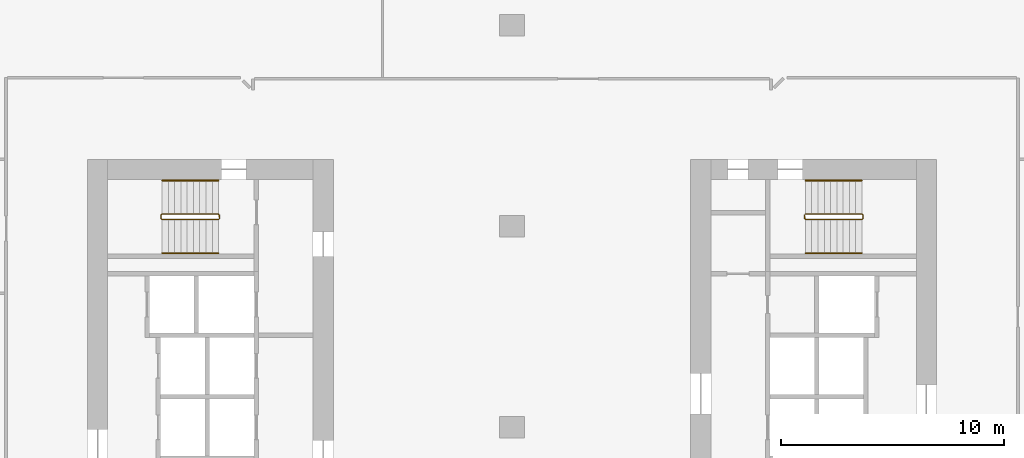
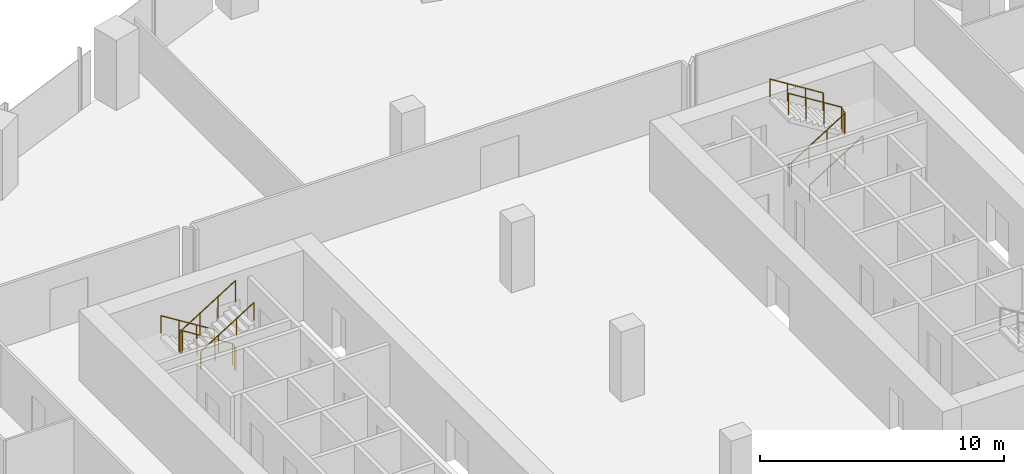
# One storey, part 35 of 35: 6 railings.
"""IFC4 building model written with IfcOpenShell, lengths in metres."""

from ifc_helpers import new_model, si_unit, direction, frame, origin, origin_2d, place, context, subcontext, project, spatial, circle, extrude, material, type_object, element, save


model = new_model("IFC4")

# Units and contexts
model_context = context("Model", 3, precision=1e-05, world=origin(), true_north=direction((0.0, 1.0)))
body_context = subcontext(model_context, "Body", "Model", "MODEL_VIEW")
ifc_project = project(units=[si_unit("LENGTHUNIT", "METRE"), si_unit("AREAUNIT", "SQUARE_METRE"), si_unit("VOLUMEUNIT", "CUBIC_METRE"), si_unit("PLANEANGLEUNIT", "RADIAN"), si_unit("MASSUNIT", "GRAM", prefix="KILO")], contexts=[model_context])

# Site, building, storey
site_placement = place(None, origin())
site = spatial("IfcSite", under=ifc_project, at=site_placement, CompositionType="ELEMENT")
building_placement = place(site_placement, origin())
building = spatial("IfcBuilding", under=site, at=building_placement, Name="Orlundy Tower", CompositionType="ELEMENT")
storey_placement = place(building_placement, frame((0.0, 0.0, 116.199951171875)))
storey = spatial("IfcBuildingStorey", under=building, at=storey_placement, Name="L29", CompositionType="ELEMENT", Elevation=116.199951171875)

# Railings
ifc_material_1 = material(Name="Steel balustrade", Category="steel")
railing_type_1 = type_object("IfcRailingType", Name="Stair Guard 1100", PredefinedType="GUARDRAIL", material=ifc_material_1)
railing_1_placement = place(storey_placement, frame((-13.090087890625, 9.5, 0.0)))
element("IfcRailing", 1, at=railing_1_placement, inside=storey, type_object=railing_type_1, Name="L29 ST-W1 stair guard 1", PredefinedType="GUARDRAIL", context=body_context, shape_type="SweptSolid", body=[
    extrude(circle(Radius=0.02392578125, at=origin_2d()), frame((0.0, 0.0, 1.076171875), z_axis=(0.0, -1.0, 0.0), x_axis=(1.0, 0.0, 0.0)), (0.0, 0.0, 1.0), 0.14990234375),
    extrude(circle(Radius=0.02392578125, at=origin_2d()), frame((0.0, -0.14990234375, 1.076171875), z_axis=(-0.18420542264, 0.739530593833, 0.647427882513), x_axis=(-0.970351222016, -0.241699205484, 0.0)), (0.0, 0.0, 1.0), 0.270263671875),
    extrude(circle(Radius=0.02392578125, at=origin_2d()), frame((-0.0498046875, 0.050048828125, 1.2509765625), z_axis=(-0.848007534815, 0.0, 0.529984170421), x_axis=(0.0, -1.0, 0.0)), (0.0, 0.0, 1.0), 2.9716796875),
    extrude(circle(Radius=0.02392578125, at=origin_2d()), frame((-2.56982421875, 0.050048828125, 2.826171875), z_axis=(-0.707106781187, -0.707106781187, 0.0), x_axis=(0.707106781187, -0.707106781187, 0.0)), (0.0, 0.0, 1.0), 0.07080078125),
    extrude(circle(Radius=0.02392578125, at=origin_2d()), frame((-2.619873046875, 0.0, 2.826171875), z_axis=(0.0, -1.0, 0.0), x_axis=(1.0, 0.0, 0.0)), (0.0, 0.0, 1.0), 0.14990234375),
    extrude(circle(Radius=0.02392578125, at=origin_2d()), frame((-2.619873046875, -0.14990234375, 2.826171875), z_axis=(0.265065253269, -0.265065253269, 0.927081885822), x_axis=(0.707106781187, 0.707106781187, 0.0)), (0.0, 0.0, 1.0), 0.188720703125),
    extrude(circle(Radius=0.02392578125, at=origin_2d()), frame((-2.56982421875, -0.199951171875, 3.0009765625), z_axis=(0.848007534815, 0.0, 0.529984170421), x_axis=(0.0, 1.0, 0.0)), (0.0, 0.0, 1.0), 2.9716796875),
    extrude(circle(Radius=0.02099609375, at=origin_2d()), origin(), (0.0, 0.0, 1.0), 1.052001953125),
    extrude(circle(Radius=0.02099609375, at=origin_2d()), frame((0.0, -0.14990234375, 0.0)), (0.0, 0.0, 1.0), 1.052001953125),
    extrude(circle(Radius=0.02099609375, at=origin_2d()), frame((-0.0498046875, 0.050048828125, 0.175048828125)), (0.0, 0.0, 1.0), 1.052001953125),
    extrude(circle(Radius=0.02099609375, at=origin_2d()), frame((-0.889892578125, 0.050048828125, 0.699951171875)), (0.0, 0.0, 1.0), 1.052001953125),
    extrude(circle(Radius=0.02099609375, at=origin_2d()), frame((-1.729736328125, 0.050048828125, 1.22509765625)), (0.0, 0.0, 1.0), 1.052001953125),
    extrude(circle(Radius=0.02099609375, at=origin_2d()), frame((-2.56982421875, 0.050048828125, 1.75)), (0.0, 0.0, 1.0), 1.052001953125),
    extrude(circle(Radius=0.02099609375, at=origin_2d()), frame((-2.619873046875, 0.0, 1.75)), (0.0, 0.0, 1.0), 1.052001953125),
    extrude(circle(Radius=0.02099609375, at=origin_2d()), frame((-2.619873046875, -0.14990234375, 1.75)), (0.0, 0.0, 1.0), 1.052001953125),
    extrude(circle(Radius=0.02099609375, at=origin_2d()), frame((-2.56982421875, -0.199951171875, 1.925048828125)), (0.0, 0.0, 1.0), 1.052001953125),
    extrude(circle(Radius=0.02099609375, at=origin_2d()), frame((-1.729736328125, -0.199951171875, 2.449951171875)), (0.0, 0.0, 1.0), 1.052001953125),
    extrude(circle(Radius=0.02099609375, at=origin_2d()), frame((-0.889892578125, -0.199951171875, 2.97509765625)), (0.0, 0.0, 1.0), 1.052001953125),
    extrude(circle(Radius=0.02099609375, at=origin_2d()), frame((-0.0498046875, -0.199951171875, 3.5)), (0.0, 0.0, 1.0), 1.052001953125),
])
railing_2_placement = place(storey_placement, frame((13.090087890625, 9.35009765625, 0.0)))
element("IfcRailing", 2, at=railing_2_placement, inside=storey, type_object=railing_type_1, Name="L29 ST-E2 stair guard 1", PredefinedType="GUARDRAIL", context=body_context, shape_type="SweptSolid", body=[
    extrude(circle(Radius=0.02392578125, at=origin_2d()), frame((0.0, 0.0, 1.076171875), z_axis=(0.0, 1.0, 0.0), x_axis=(-1.0, 0.0, 0.0)), (0.0, 0.0, 1.0), 0.14990234375),
    extrude(circle(Radius=0.02392578125, at=origin_2d()), frame((0.0, 0.14990234375, 1.076171875), z_axis=(0.18420542264, -0.739530593833, 0.647427882513), x_axis=(0.970351222016, 0.241699205484, 0.0)), (0.0, 0.0, 1.0), 0.270263671875),
    extrude(circle(Radius=0.02392578125, at=origin_2d()), frame((0.0498046875, -0.050048828125, 1.2509765625), z_axis=(0.848007534815, 0.0, 0.529984170421), x_axis=(0.0, 1.0, 0.0)), (0.0, 0.0, 1.0), 2.9716796875),
    extrude(circle(Radius=0.02392578125, at=origin_2d()), frame((2.56982421875, -0.050048828125, 2.826171875), z_axis=(0.707106781187, 0.707106781187, 0.0), x_axis=(-0.707106781187, 0.707106781187, 0.0)), (0.0, 0.0, 1.0), 0.07080078125),
    extrude(circle(Radius=0.02392578125, at=origin_2d()), frame((2.619873046875, 0.0, 2.826171875), z_axis=(0.0, 1.0, 0.0), x_axis=(-1.0, 0.0, 0.0)), (0.0, 0.0, 1.0), 0.14990234375),
    extrude(circle(Radius=0.02392578125, at=origin_2d()), frame((2.619873046875, 0.14990234375, 2.826171875), z_axis=(-0.265065253269, 0.265065253269, 0.927081885822), x_axis=(-0.707106781187, -0.707106781187, 0.0)), (0.0, 0.0, 1.0), 0.188720703125),
    extrude(circle(Radius=0.02392578125, at=origin_2d()), frame((2.56982421875, 0.199951171875, 3.0009765625), z_axis=(-0.848007534815, 0.0, 0.529984170421), x_axis=(0.0, -1.0, 0.0)), (0.0, 0.0, 1.0), 2.9716796875),
    extrude(circle(Radius=0.02099609375, at=origin_2d()), origin(), (0.0, 0.0, 1.0), 1.052001953125),
    extrude(circle(Radius=0.02099609375, at=origin_2d()), frame((0.0, 0.14990234375, 0.0)), (0.0, 0.0, 1.0), 1.052001953125),
    extrude(circle(Radius=0.02099609375, at=origin_2d()), frame((0.0498046875, -0.050048828125, 0.175048828125)), (0.0, 0.0, 1.0), 1.052001953125),
    extrude(circle(Radius=0.02099609375, at=origin_2d()), frame((0.889892578125, -0.050048828125, 0.699951171875)), (0.0, 0.0, 1.0), 1.052001953125),
    extrude(circle(Radius=0.02099609375, at=origin_2d()), frame((1.729736328125, -0.050048828125, 1.22509765625)), (0.0, 0.0, 1.0), 1.052001953125),
    extrude(circle(Radius=0.02099609375, at=origin_2d()), frame((2.56982421875, -0.050048828125, 1.75)), (0.0, 0.0, 1.0), 1.052001953125),
    extrude(circle(Radius=0.02099609375, at=origin_2d()), frame((2.619873046875, 0.0, 1.75)), (0.0, 0.0, 1.0), 1.052001953125),
    extrude(circle(Radius=0.02099609375, at=origin_2d()), frame((2.619873046875, 0.14990234375, 1.75)), (0.0, 0.0, 1.0), 1.052001953125),
    extrude(circle(Radius=0.02099609375, at=origin_2d()), frame((2.56982421875, 0.199951171875, 1.925048828125)), (0.0, 0.0, 1.0), 1.052001953125),
    extrude(circle(Radius=0.02099609375, at=origin_2d()), frame((1.729736328125, 0.199951171875, 2.449951171875)), (0.0, 0.0, 1.0), 1.052001953125),
    extrude(circle(Radius=0.02099609375, at=origin_2d()), frame((0.889892578125, 0.199951171875, 2.97509765625)), (0.0, 0.0, 1.0), 1.052001953125),
    extrude(circle(Radius=0.02099609375, at=origin_2d()), frame((0.0498046875, 0.199951171875, 3.5)), (0.0, 0.0, 1.0), 1.052001953125),
])
ifc_material_2 = material(Name="Steel handrail", Category="steel")
railing_type_2 = type_object("IfcRailingType", Name="Stair Handrail 900", PredefinedType="HANDRAIL", material=ifc_material_2)
railing_3_placement = place(storey_placement, frame((-13.139892578125, 11.050048828125, 0.175048828125)))
element("IfcRailing", 3, at=railing_3_placement, inside=storey, type_object=railing_type_2, Name="L29 ST-W1 stair handrail 1", PredefinedType="HANDRAIL", context=body_context, shape_type="SweptSolid", body=[
    extrude(circle(Radius=0.02392578125, at=origin_2d()), frame((0.0, 0.0, 0.8759765625), z_axis=(-0.848007534815, 0.0, 0.529984170421), x_axis=(0.0, -1.0, 0.0)), (0.0, 0.0, 1.0), 2.9716796875),
    extrude(circle(Radius=0.02099609375, at=origin_2d()), origin(), (0.0, 0.0, 1.0), 0.851806640625),
    extrude(circle(Radius=0.02099609375, at=origin_2d()), frame((-0.840087890625, 0.0, 0.52490234375)), (0.0, 0.0, 1.0), 0.851806640625),
    extrude(circle(Radius=0.02099609375, at=origin_2d()), frame((-1.679931640625, 0.0, 1.050048828125)), (0.0, 0.0, 1.0), 0.851806640625),
    extrude(circle(Radius=0.02099609375, at=origin_2d()), frame((-2.52001953125, 0.0, 1.574951171875)), (0.0, 0.0, 1.0), 0.851806640625),
])
for number, where, name in (
    (4, (-15.659912109375, 7.800048828125, 1.925048828125), "L29 ST-W1 stair handrail 2"),
    (5, (13.139892578125, 7.800048828125, 0.175048828125), "L29 ST-E2 stair handrail 1"),
):
    element("IfcRailing", number, at=place(storey_placement, frame(where)), inside=storey, type_object=railing_type_2, Name=name, PredefinedType="HANDRAIL", context=body_context, shape_type="SweptSolid", body=[
        extrude(circle(Radius=0.02392578125, at=origin_2d()), frame((0.0, 0.0, 0.8759765625), z_axis=(0.848007534815, 0.0, 0.529984170421), x_axis=(0.0, 1.0, 0.0)), (0.0, 0.0, 1.0), 2.9716796875),
        extrude(circle(Radius=0.02099609375, at=origin_2d()), origin(), (0.0, 0.0, 1.0), 0.851806640625),
        extrude(circle(Radius=0.02099609375, at=origin_2d()), frame((0.840087890625, 0.0, 0.52490234375)), (0.0, 0.0, 1.0), 0.851806640625),
        extrude(circle(Radius=0.02099609375, at=origin_2d()), frame((1.679931640625, 0.0, 1.050048828125)), (0.0, 0.0, 1.0), 0.851806640625),
        extrude(circle(Radius=0.02099609375, at=origin_2d()), frame((2.52001953125, 0.0, 1.574951171875)), (0.0, 0.0, 1.0), 0.851806640625),
    ])
railing_4_placement = place(storey_placement, frame((15.659912109375, 11.050048828125, 1.925048828125)))
element("IfcRailing", 6, at=railing_4_placement, inside=storey, type_object=railing_type_2, Name="L29 ST-E2 stair handrail 2", PredefinedType="HANDRAIL", context=body_context, shape_type="SweptSolid", body=[
    extrude(circle(Radius=0.02392578125, at=origin_2d()), frame((0.0, 0.0, 0.8759765625), z_axis=(-0.848007534815, 0.0, 0.529984170421), x_axis=(0.0, -1.0, 0.0)), (0.0, 0.0, 1.0), 2.9716796875),
    extrude(circle(Radius=0.02099609375, at=origin_2d()), origin(), (0.0, 0.0, 1.0), 0.851806640625),
    extrude(circle(Radius=0.02099609375, at=origin_2d()), frame((-0.840087890625, 0.0, 0.52490234375)), (0.0, 0.0, 1.0), 0.851806640625),
    extrude(circle(Radius=0.02099609375, at=origin_2d()), frame((-1.679931640625, 0.0, 1.050048828125)), (0.0, 0.0, 1.0), 0.851806640625),
    extrude(circle(Radius=0.02099609375, at=origin_2d()), frame((-2.52001953125, 0.0, 1.574951171875)), (0.0, 0.0, 1.0), 0.851806640625),
])

save(model, "model.ifc")
